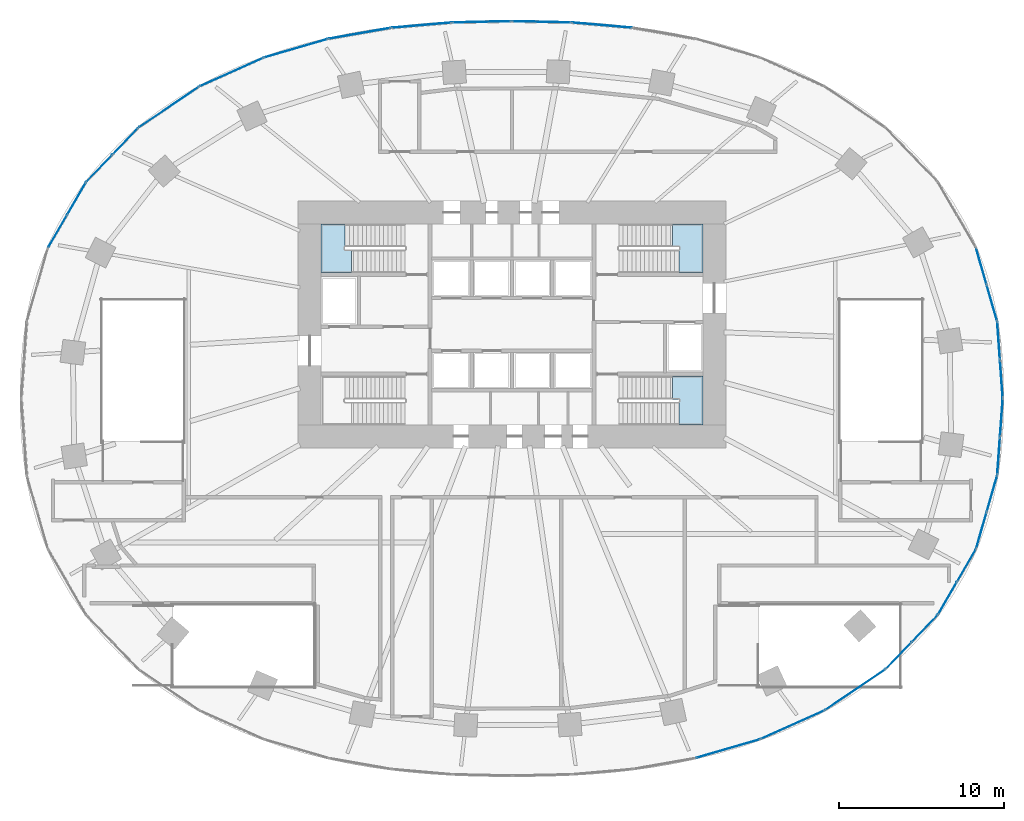
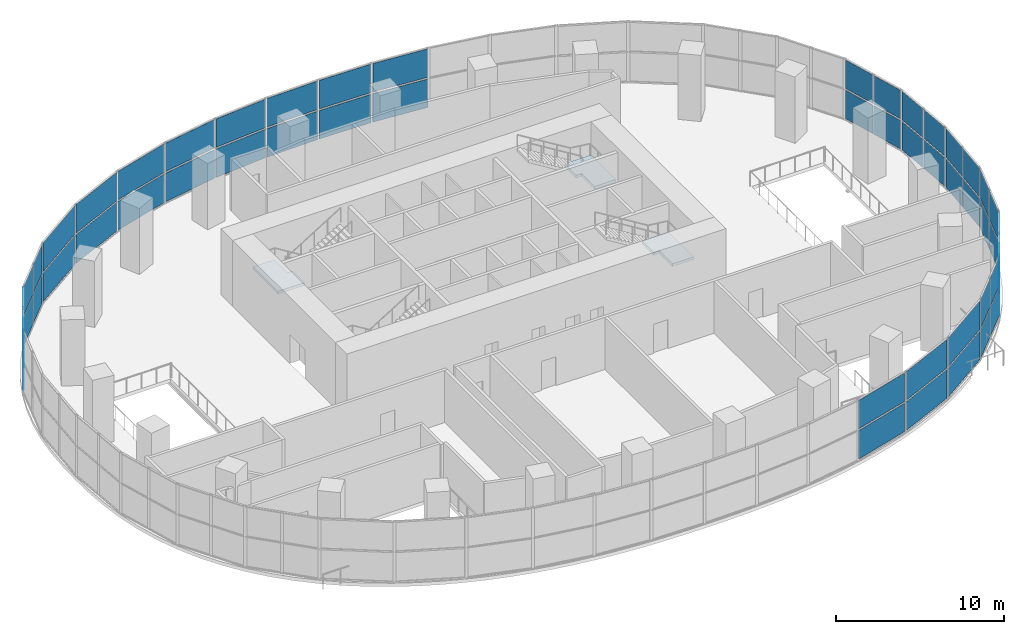
# One storey, part 10 of 17: 54 plates, 3 slabs, 22 elements without a shape of their own.
"""IFC4 building model written with IfcOpenShell, lengths in metres."""

from ifc_helpers import new_model, si_unit, direction, frame, origin, origin_2d, place, context, subcontext, project, spatial, polyline, rectangle, outline, extrude, material, layer, layer_set, type_object, element, aggregate, save


model = new_model("IFC4")

# Units and contexts
model_context = context("Model", 3, precision=1e-05, world=origin(), true_north=direction((0.0, 1.0)))
body_context = subcontext(model_context, "Body", "Model", "MODEL_VIEW")
ifc_project = project(units=[si_unit("LENGTHUNIT", "METRE"), si_unit("AREAUNIT", "SQUARE_METRE"), si_unit("VOLUMEUNIT", "CUBIC_METRE"), si_unit("PLANEANGLEUNIT", "RADIAN"), si_unit("MASSUNIT", "GRAM", prefix="KILO")], contexts=[model_context])

# Site, building, storey
site_placement = place(None, origin())
site = spatial("IfcSite", under=ifc_project, at=site_placement, CompositionType="ELEMENT")
building_placement = place(site_placement, origin())
building = spatial("IfcBuilding", under=site, at=building_placement, Name="Rubra Terraces Tower", CompositionType="ELEMENT")
storey_placement = place(building_placement, frame((0.0, 0.0, 28.199951171875)))
storey = spatial("IfcBuildingStorey", under=building, at=storey_placement, Name="L04", CompositionType="ELEMENT", Elevation=28.199951171875)

# Stair, slab
ifc_material_1 = material(Name="Concrete C40", Category="concrete")
stair_type = type_object("IfcStairType", Name="Core stair 1400", PredefinedType="HALF_TURN_STAIR", material=ifc_material_1)
stair_1_placement = place(storey_placement, origin())
stair_1 = element("IfcStair", 1, at=stair_1_placement, inside=storey, type_object=stair_type, Name="L04 Exit stair S2", PredefinedType="HALF_TURN_STAIR")
ifc_layer_1 = layer(ifc_material_1, 0.199951171875)
ifc_layer_set_1 = layer_set([ifc_layer_1], Name="Concrete C40")
slab_type = type_object("IfcSlabType", Name="Core stair landing 200", PredefinedType="LANDING", material=ifc_layer_set_1)
slab_1_placement = place(storey_placement, frame((0.0, 0.0, 2.199951171875)))
slab_1 = element("IfcSlab", 2, at=slab_1_placement, type_object=slab_type, Name="S2 landing 1", PredefinedType="LANDING", context=body_context, shape_type="SweptSolid", body=[
    extrude(outline(polyline([(-9.760009765625, 9.050048828125), (-9.760009765625, 7.64990234375), (-10.159912109375, 7.64990234375), (-11.60009765625, 7.64990234375), (-11.60009765625, 10.60009765625), (-10.159912109375, 10.60009765625), (-10.139892578125, 10.60009765625), (-10.137939453125, 10.60009765625), (-10.137939453125, 9.199951171875), (-10.139892578125, 9.199951171875), (-10.139892578125, 9.050048828125), (-9.760009765625, 9.050048828125)])), origin(), (0.0, 0.0, 1.0), 0.2001953125),
])
aggregate(stair_1, [slab_1])

stair_2_placement = place(storey_placement, origin())
stair_2 = element("IfcStair", 3, at=stair_2_placement, inside=storey, type_object=stair_type, Name="L04 Exit stair S3", PredefinedType="HALF_TURN_STAIR")
slab_2_placement = place(storey_placement, frame((0.0, 0.0, 2.199951171875)))
slab_2 = element("IfcSlab", 4, at=slab_2_placement, type_object=slab_type, Name="S3 landing 1", PredefinedType="LANDING", context=body_context, shape_type="SweptSolid", body=[
    extrude(outline(polyline([(10.139892578125, 9.050048828125), (10.139892578125, 9.199951171875), (9.760009765625, 9.199951171875), (9.760009765625, 10.60009765625), (10.139892578125, 10.60009765625), (10.159912109375, 10.60009765625), (11.60009765625, 10.60009765625), (11.60009765625, 7.64990234375), (10.159912109375, 7.64990234375), (10.137939453125, 7.64990234375), (10.137939453125, 9.050048828125), (10.139892578125, 9.050048828125)])), origin(), (0.0, 0.0, 1.0), 0.2001953125),
])
aggregate(stair_2, [slab_2])

stair_3_placement = place(storey_placement, origin())
stair_3 = element("IfcStair", 5, at=stair_3_placement, inside=storey, type_object=stair_type, Name="L04 Exit stair S4", PredefinedType="HALF_TURN_STAIR")
slab_3_placement = place(storey_placement, frame((0.0, 0.0, 2.199951171875)))
slab_3 = element("IfcSlab", 6, at=slab_3_placement, type_object=slab_type, Name="S4 landing 1", PredefinedType="LANDING", context=body_context, shape_type="SweptSolid", body=[
    extrude(outline(polyline([(10.139892578125, -0.199951171875), (10.139892578125, -0.050048828125), (9.760009765625, -0.050048828125), (9.760009765625, 1.35009765625), (10.139892578125, 1.35009765625), (10.159912109375, 1.35009765625), (11.60009765625, 1.35009765625), (11.60009765625, -1.60009765625), (10.159912109375, -1.60009765625), (10.139892578125, -1.60009765625), (10.137939453125, -1.60009765625), (10.137939453125, -0.199951171875), (10.139892578125, -0.199951171875)])), origin(), (0.0, 0.0, 1.0), 0.2001953125),
])
aggregate(stair_3, [slab_3])

# Curtain wall, plates
ifc_material_2 = material(Name="Aluminium and glass", Category="aluminium")
curtain_wall_type = type_object("IfcCurtainWallType", Name="Curtain wall Podium glazing", PredefinedType="NOTDEFINED", material=ifc_material_2)
curtain_wall_1_placement = place(storey_placement, origin())
curtain_wall_1 = element("IfcCurtainWall", 7, at=curtain_wall_1_placement, inside=storey, type_object=curtain_wall_type, Name="L04 glazing bay 1", PredefinedType="NOTDEFINED")
ifc_material_3 = material(Name="Clear glass, laminated", Category="glass")
ifc_layer_2 = layer(ifc_material_3, 0.028076171875)
ifc_layer_set_2 = layer_set([ifc_layer_2], Name="Clear glass, laminated")
plate_type = type_object("IfcPlateType", Name="Podium glazing glass panel 28", PredefinedType="CURTAIN_PANEL", material=ifc_layer_set_2)
plate_1_placement = place(storey_placement, frame((29.739990234375, 1.18017578125, 0.1201171875), z_axis=(0.0, 0.0, 1.0), x_axis=(-0.071792057306, 0.997419621076, 0.0)))
plate_1 = element("IfcPlate", 8, at=plate_1_placement, type_object=plate_type, Name="CW1 panel 1.1", PredefinedType="CURTAIN_PANEL", context=body_context, shape_type="SweptSolid", body=[
    extrude(rectangle(XDim=2.257080078125, YDim=0.028076171875, at=origin_2d()), origin(), (0.0, 0.0, 1.0), 2.070068359375),
])
plate_2_placement = place(storey_placement, frame((29.739990234375, 1.18017578125, 2.31005859375), z_axis=(0.0, 0.0, 1.0), x_axis=(-0.071792057306, 0.997419621076, 0.0)))
plate_2 = element("IfcPlate", 9, at=plate_2_placement, type_object=plate_type, Name="CW1 panel 1.2", PredefinedType="CURTAIN_PANEL", context=body_context, shape_type="SweptSolid", body=[
    extrude(rectangle(XDim=2.257080078125, YDim=0.028076171875, at=origin_2d()), origin(), (0.0, 0.0, 1.0), 2.070068359375),
])
plate_3_placement = place(storey_placement, frame((29.573486328125, 3.4912109375, 0.1201171875), z_axis=(0.0, 0.0, 1.0), x_axis=(-0.071792057306, 0.997419621076, 0.0)))
plate_3 = element("IfcPlate", 10, at=plate_3_placement, type_object=plate_type, Name="CW1 panel 2.1", PredefinedType="CURTAIN_PANEL", context=body_context, shape_type="SweptSolid", body=[
    extrude(rectangle(XDim=2.257080078125, YDim=0.028076171875, at=origin_2d()), origin(), (0.0, 0.0, 1.0), 2.070068359375),
])
plate_4_placement = place(storey_placement, frame((29.573486328125, 3.4912109375, 2.31005859375), z_axis=(0.0, 0.0, 1.0), x_axis=(-0.071792057306, 0.997419621076, 0.0)))
plate_4 = element("IfcPlate", 11, at=plate_4_placement, type_object=plate_type, Name="CW1 panel 2.2", PredefinedType="CURTAIN_PANEL", context=body_context, shape_type="SweptSolid", body=[
    extrude(rectangle(XDim=2.257080078125, YDim=0.028076171875, at=origin_2d()), origin(), (0.0, 0.0, 1.0), 2.070068359375),
])
aggregate(curtain_wall_1, [plate_1, plate_2, plate_3, plate_4])

curtain_wall_2_placement = place(storey_placement, origin())
curtain_wall_2 = element("IfcCurtainWall", 12, at=curtain_wall_2_placement, inside=storey, type_object=curtain_wall_type, Name="L04 glazing bay 2", PredefinedType="NOTDEFINED")
plate_5_placement = place(storey_placement, frame((29.1630859375, 5.801513671875, 0.1201171875), z_axis=(0.0, 0.0, 1.0), x_axis=(-0.276383811798, 0.961047339404, 0.0)))
plate_5 = element("IfcPlate", 13, at=plate_5_placement, type_object=plate_type, Name="CW1 panel 1.1", PredefinedType="CURTAIN_PANEL", context=body_context, shape_type="SweptSolid", body=[
    extrude(rectangle(XDim=2.252685546875, YDim=0.028076171875, at=origin_2d()), origin(), (0.0, 0.0, 1.0), 2.070068359375),
])
plate_6_placement = place(storey_placement, frame((29.1630859375, 5.801513671875, 2.31005859375), z_axis=(0.0, 0.0, 1.0), x_axis=(-0.276383811798, 0.961047339404, 0.0)))
plate_6 = element("IfcPlate", 14, at=plate_6_placement, type_object=plate_type, Name="CW1 panel 1.2", PredefinedType="CURTAIN_PANEL", context=body_context, shape_type="SweptSolid", body=[
    extrude(rectangle(XDim=2.252685546875, YDim=0.028076171875, at=origin_2d()), origin(), (0.0, 0.0, 1.0), 2.070068359375),
])
plate_7_placement = place(storey_placement, frame((28.523681640625, 8.024169921875, 0.1201171875), z_axis=(0.0, 0.0, 1.0), x_axis=(-0.276383811798, 0.961047339404, 0.0)))
plate_7 = element("IfcPlate", 15, at=plate_7_placement, type_object=plate_type, Name="CW1 panel 2.1", PredefinedType="CURTAIN_PANEL", context=body_context, shape_type="SweptSolid", body=[
    extrude(rectangle(XDim=2.252685546875, YDim=0.028076171875, at=origin_2d()), origin(), (0.0, 0.0, 1.0), 2.070068359375),
])
plate_8_placement = place(storey_placement, frame((28.523681640625, 8.024169921875, 2.31005859375), z_axis=(0.0, 0.0, 1.0), x_axis=(-0.276383811798, 0.961047339404, 0.0)))
plate_8 = element("IfcPlate", 16, at=plate_8_placement, type_object=plate_type, Name="CW1 panel 2.2", PredefinedType="CURTAIN_PANEL", context=body_context, shape_type="SweptSolid", body=[
    extrude(rectangle(XDim=2.252685546875, YDim=0.028076171875, at=origin_2d()), origin(), (0.0, 0.0, 1.0), 2.070068359375),
])
aggregate(curtain_wall_2, [plate_5, plate_6, plate_7, plate_8])

curtain_wall_3_placement = place(storey_placement, origin())
curtain_wall_3 = element("IfcCurtainWall", 17, at=curtain_wall_3_placement, inside=storey, type_object=curtain_wall_type, Name="L04 glazing bay 9", PredefinedType="NOTDEFINED")
plate_9_placement = place(storey_placement, frame((5.47998046875, 22.686279296875, 0.1201171875), z_axis=(0.0, 0.0, 1.0), x_axis=(-0.996260697637, 0.08639804595, 0.0)))
plate_9 = element("IfcPlate", 18, at=plate_9_placement, type_object=plate_type, Name="CW1 panel 1.1", PredefinedType="CURTAIN_PANEL", context=body_context, shape_type="SweptSolid", body=[
    extrude(rectangle(XDim=3.60693359375, YDim=0.028076171875, at=origin_2d()), origin(), (0.0, 0.0, 1.0), 2.070068359375),
])
plate_10_placement = place(storey_placement, frame((5.47998046875, 22.686279296875, 2.31005859375), z_axis=(0.0, 0.0, 1.0), x_axis=(-0.996260697637, 0.08639804595, 0.0)))
plate_10 = element("IfcPlate", 19, at=plate_10_placement, type_object=plate_type, Name="CW1 panel 1.2", PredefinedType="CURTAIN_PANEL", context=body_context, shape_type="SweptSolid", body=[
    extrude(rectangle(XDim=3.60693359375, YDim=0.028076171875, at=origin_2d()), origin(), (0.0, 0.0, 1.0), 2.070068359375),
])
aggregate(curtain_wall_3, [plate_9, plate_10])

curtain_wall_4_placement = place(storey_placement, origin())
curtain_wall_4 = element("IfcCurtainWall", 20, at=curtain_wall_4_placement, inside=storey, type_object=curtain_wall_type, Name="L04 glazing bay 10", PredefinedType="NOTDEFINED")
plate_11_placement = place(storey_placement, frame((1.8134765625, 22.885986328125, 0.1201171875), z_axis=(0.0, 0.0, 1.0), x_axis=(-0.999769221365, 0.021482644428, 0.0)))
plate_11 = element("IfcPlate", 21, at=plate_11_placement, type_object=plate_type, Name="CW1 panel 1.1", PredefinedType="CURTAIN_PANEL", context=body_context, shape_type="SweptSolid", body=[
    extrude(rectangle(XDim=3.5107421875, YDim=0.028076171875, at=origin_2d()), origin(), (0.0, 0.0, 1.0), 2.070068359375),
])
plate_12_placement = place(storey_placement, frame((1.8134765625, 22.885986328125, 2.31005859375), z_axis=(0.0, 0.0, 1.0), x_axis=(-0.999769221365, 0.021482644428, 0.0)))
plate_12 = element("IfcPlate", 22, at=plate_12_placement, type_object=plate_type, Name="CW1 panel 1.2", PredefinedType="CURTAIN_PANEL", context=body_context, shape_type="SweptSolid", body=[
    extrude(rectangle(XDim=3.5107421875, YDim=0.028076171875, at=origin_2d()), origin(), (0.0, 0.0, 1.0), 2.070068359375),
])
aggregate(curtain_wall_4, [plate_11, plate_12])

curtain_wall_5_placement = place(storey_placement, origin())
curtain_wall_5 = element("IfcCurtainWall", 23, at=curtain_wall_5_placement, inside=storey, type_object=curtain_wall_type, Name="L04 glazing bay 11", PredefinedType="NOTDEFINED")
plate_13_placement = place(storey_placement, frame((-1.8134765625, 22.885986328125, 0.1201171875), z_axis=(0.0, 0.0, 1.0), x_axis=(-0.999769221365, -0.021482644428, 0.0)))
plate_13 = element("IfcPlate", 24, at=plate_13_placement, type_object=plate_type, Name="CW1 panel 1.1", PredefinedType="CURTAIN_PANEL", context=body_context, shape_type="SweptSolid", body=[
    extrude(rectangle(XDim=3.5107421875, YDim=0.028076171875, at=origin_2d()), origin(), (0.0, 0.0, 1.0), 2.070068359375),
])
plate_14_placement = place(storey_placement, frame((-1.8134765625, 22.885986328125, 2.31005859375), z_axis=(0.0, 0.0, 1.0), x_axis=(-0.999769221365, -0.021482644428, 0.0)))
plate_14 = element("IfcPlate", 25, at=plate_14_placement, type_object=plate_type, Name="CW1 panel 1.2", PredefinedType="CURTAIN_PANEL", context=body_context, shape_type="SweptSolid", body=[
    extrude(rectangle(XDim=3.5107421875, YDim=0.028076171875, at=origin_2d()), origin(), (0.0, 0.0, 1.0), 2.070068359375),
])
aggregate(curtain_wall_5, [plate_13, plate_14])

curtain_wall_6_placement = place(storey_placement, origin())
curtain_wall_6 = element("IfcCurtainWall", 26, at=curtain_wall_6_placement, inside=storey, type_object=curtain_wall_type, Name="L04 glazing bay 12", PredefinedType="NOTDEFINED")
plate_15_placement = place(storey_placement, frame((-5.47998046875, 22.686279296875, 0.1201171875), z_axis=(0.0, 0.0, 1.0), x_axis=(-0.996260697637, -0.08639804595, 0.0)))
plate_15 = element("IfcPlate", 27, at=plate_15_placement, type_object=plate_type, Name="CW1 panel 1.1", PredefinedType="CURTAIN_PANEL", context=body_context, shape_type="SweptSolid", body=[
    extrude(rectangle(XDim=3.60693359375, YDim=0.028076171875, at=origin_2d()), origin(), (0.0, 0.0, 1.0), 2.070068359375),
])
plate_16_placement = place(storey_placement, frame((-5.47998046875, 22.686279296875, 2.31005859375), z_axis=(0.0, 0.0, 1.0), x_axis=(-0.996260697637, -0.08639804595, 0.0)))
plate_16 = element("IfcPlate", 28, at=plate_16_placement, type_object=plate_type, Name="CW1 panel 1.2", PredefinedType="CURTAIN_PANEL", context=body_context, shape_type="SweptSolid", body=[
    extrude(rectangle(XDim=3.60693359375, YDim=0.028076171875, at=origin_2d()), origin(), (0.0, 0.0, 1.0), 2.070068359375),
])
aggregate(curtain_wall_6, [plate_15, plate_16])

curtain_wall_7_placement = place(storey_placement, origin())
curtain_wall_7 = element("IfcCurtainWall", 29, at=curtain_wall_7_placement, inside=storey, type_object=curtain_wall_type, Name="L04 glazing bay 13", PredefinedType="NOTDEFINED")
plate_17_placement = place(storey_placement, frame((-9.2451171875, 22.190185546875, 0.1201171875), z_axis=(0.0, 0.0, 1.0), x_axis=(-0.984953952909, -0.172816985997, 0.0)))
plate_17 = element("IfcPlate", 30, at=plate_17_placement, type_object=plate_type, Name="CW1 panel 1.1", PredefinedType="CURTAIN_PANEL", context=body_context, shape_type="SweptSolid", body=[
    extrude(rectangle(XDim=3.7685546875, YDim=0.028076171875, at=origin_2d()), origin(), (0.0, 0.0, 1.0), 2.070068359375),
])
plate_18_placement = place(storey_placement, frame((-9.2451171875, 22.190185546875, 2.31005859375), z_axis=(0.0, 0.0, 1.0), x_axis=(-0.984953952909, -0.172816985997, 0.0)))
plate_18 = element("IfcPlate", 31, at=plate_18_placement, type_object=plate_type, Name="CW1 panel 1.2", PredefinedType="CURTAIN_PANEL", context=body_context, shape_type="SweptSolid", body=[
    extrude(rectangle(XDim=3.7685546875, YDim=0.028076171875, at=origin_2d()), origin(), (0.0, 0.0, 1.0), 2.070068359375),
])
aggregate(curtain_wall_7, [plate_17, plate_18])

curtain_wall_8_placement = place(storey_placement, origin())
curtain_wall_8 = element("IfcCurtainWall", 32, at=curtain_wall_8_placement, inside=storey, type_object=curtain_wall_type, Name="L04 glazing bay 14", PredefinedType="NOTDEFINED")
plate_19_placement = place(storey_placement, frame((-13.115966796875, 21.284423828125, 0.1201171875), z_axis=(0.0, 0.0, 1.0), x_axis=(-0.96017502931, -0.279399200229, 0.0)))
plate_19 = element("IfcPlate", 33, at=plate_19_placement, type_object=plate_type, Name="CW1 panel 1.1", PredefinedType="CURTAIN_PANEL", context=body_context, shape_type="SweptSolid", body=[
    extrude(rectangle(XDim=3.970947265625, YDim=0.028076171875, at=origin_2d()), origin(), (0.0, 0.0, 1.0), 2.070068359375),
])
plate_20_placement = place(storey_placement, frame((-13.115966796875, 21.284423828125, 2.31005859375), z_axis=(0.0, 0.0, 1.0), x_axis=(-0.96017502931, -0.279399200229, 0.0)))
plate_20 = element("IfcPlate", 34, at=plate_20_placement, type_object=plate_type, Name="CW1 panel 1.2", PredefinedType="CURTAIN_PANEL", context=body_context, shape_type="SweptSolid", body=[
    extrude(rectangle(XDim=3.970947265625, YDim=0.028076171875, at=origin_2d()), origin(), (0.0, 0.0, 1.0), 2.070068359375),
])
aggregate(curtain_wall_8, [plate_19, plate_20])

curtain_wall_9_placement = place(storey_placement, origin())
curtain_wall_9 = element("IfcCurtainWall", 35, at=curtain_wall_9_placement, inside=storey, type_object=curtain_wall_type, Name="L04 glazing bay 15", PredefinedType="NOTDEFINED")
plate_21_placement = place(storey_placement, frame((-17.03271484375, 19.837158203125, 0.1201171875), z_axis=(0.0, 0.0, 1.0), x_axis=(-0.912551215254, -0.4089624427, 0.0)))
plate_21 = element("IfcPlate", 36, at=plate_21_placement, type_object=plate_type, Name="CW1 panel 1.1", PredefinedType="CURTAIN_PANEL", context=body_context, shape_type="SweptSolid", body=[
    extrude(rectangle(XDim=4.18115234375, YDim=0.028076171875, at=origin_2d()), origin(), (0.0, 0.0, 1.0), 2.070068359375),
])
plate_22_placement = place(storey_placement, frame((-17.03271484375, 19.837158203125, 2.31005859375), z_axis=(0.0, 0.0, 1.0), x_axis=(-0.912551215254, -0.4089624427, 0.0)))
plate_22 = element("IfcPlate", 37, at=plate_22_placement, type_object=plate_type, Name="CW1 panel 1.2", PredefinedType="CURTAIN_PANEL", context=body_context, shape_type="SweptSolid", body=[
    extrude(rectangle(XDim=4.18115234375, YDim=0.028076171875, at=origin_2d()), origin(), (0.0, 0.0, 1.0), 2.070068359375),
])
aggregate(curtain_wall_9, [plate_21, plate_22])

curtain_wall_10_placement = place(storey_placement, origin())
curtain_wall_10 = element("IfcCurtainWall", 38, at=curtain_wall_10_placement, inside=storey, type_object=curtain_wall_type, Name="L04 glazing bay 16", PredefinedType="NOTDEFINED")
plate_23_placement = place(storey_placement, frame((-20.840576171875, 17.711181640625, 0.1201171875), z_axis=(0.0, 0.0, 1.0), x_axis=(-0.828980654031, -0.55927727939, 0.0)))
plate_23 = element("IfcPlate", 39, at=plate_23_placement, type_object=plate_type, Name="CW1 panel 1.1", PredefinedType="CURTAIN_PANEL", context=body_context, shape_type="SweptSolid", body=[
    extrude(rectangle(XDim=4.35888671875, YDim=0.028076171875, at=origin_2d()), origin(), (0.0, 0.0, 1.0), 2.070068359375),
])
plate_24_placement = place(storey_placement, frame((-20.840576171875, 17.711181640625, 2.31005859375), z_axis=(0.0, 0.0, 1.0), x_axis=(-0.828980654031, -0.55927727939, 0.0)))
plate_24 = element("IfcPlate", 40, at=plate_24_placement, type_object=plate_type, Name="CW1 panel 1.2", PredefinedType="CURTAIN_PANEL", context=body_context, shape_type="SweptSolid", body=[
    extrude(rectangle(XDim=4.35888671875, YDim=0.028076171875, at=origin_2d()), origin(), (0.0, 0.0, 1.0), 2.070068359375),
])
aggregate(curtain_wall_10, [plate_23, plate_24])

curtain_wall_11_placement = place(storey_placement, origin())
curtain_wall_11 = element("IfcCurtainWall", 41, at=curtain_wall_11_placement, inside=storey, type_object=curtain_wall_type, Name="L04 glazing bay 17", PredefinedType="NOTDEFINED")
plate_25_placement = place(storey_placement, frame((-23.4931640625, 15.630859375, 0.1201171875), z_axis=(0.0, 0.0, 1.0), x_axis=(-0.69415569917, -0.71982488517, 0.0)))
plate_25 = element("IfcPlate", 42, at=plate_25_placement, type_object=plate_type, Name="CW1 panel 1.1", PredefinedType="CURTAIN_PANEL", context=body_context, shape_type="SweptSolid", body=[
    extrude(rectangle(XDim=2.20849609375, YDim=0.028076171875, at=origin_2d()), origin(), (0.0, 0.0, 1.0), 2.070068359375),
])
plate_26_placement = place(storey_placement, frame((-23.4931640625, 15.630859375, 2.31005859375), z_axis=(0.0, 0.0, 1.0), x_axis=(-0.69415569917, -0.71982488517, 0.0)))
plate_26 = element("IfcPlate", 43, at=plate_26_placement, type_object=plate_type, Name="CW1 panel 1.2", PredefinedType="CURTAIN_PANEL", context=body_context, shape_type="SweptSolid", body=[
    extrude(rectangle(XDim=2.20849609375, YDim=0.028076171875, at=origin_2d()), origin(), (0.0, 0.0, 1.0), 2.070068359375),
])
plate_27_placement = place(storey_placement, frame((-25.06787109375, 13.998046875, 0.1201171875), z_axis=(0.0, 0.0, 1.0), x_axis=(-0.69415569917, -0.71982488517, 0.0)))
plate_27 = element("IfcPlate", 44, at=plate_27_placement, type_object=plate_type, Name="CW1 panel 2.1", PredefinedType="CURTAIN_PANEL", context=body_context, shape_type="SweptSolid", body=[
    extrude(rectangle(XDim=2.20849609375, YDim=0.028076171875, at=origin_2d()), origin(), (0.0, 0.0, 1.0), 2.070068359375),
])
plate_28_placement = place(storey_placement, frame((-25.06787109375, 13.998046875, 2.31005859375), z_axis=(0.0, 0.0, 1.0), x_axis=(-0.69415569917, -0.71982488517, 0.0)))
plate_28 = element("IfcPlate", 45, at=plate_28_placement, type_object=plate_type, Name="CW1 panel 2.2", PredefinedType="CURTAIN_PANEL", context=body_context, shape_type="SweptSolid", body=[
    extrude(rectangle(XDim=2.20849609375, YDim=0.028076171875, at=origin_2d()), origin(), (0.0, 0.0, 1.0), 2.070068359375),
])
aggregate(curtain_wall_11, [plate_25, plate_26, plate_27, plate_28])

curtain_wall_12_placement = place(storey_placement, origin())
curtain_wall_12 = element("IfcCurtainWall", 46, at=curtain_wall_12_placement, inside=storey, type_object=curtain_wall_type, Name="L04 glazing bay 18", PredefinedType="NOTDEFINED")
plate_29_placement = place(storey_placement, frame((-26.45703125, 12.154541015625, 0.1201171875), z_axis=(0.0, 0.0, 1.0), x_axis=(-0.502094070187, -0.864813011398, 0.0)))
plate_29 = element("IfcPlate", 47, at=plate_29_placement, type_object=plate_type, Name="CW1 panel 1.1", PredefinedType="CURTAIN_PANEL", context=body_context, shape_type="SweptSolid", body=[
    extrude(rectangle(XDim=2.23828125, YDim=0.028076171875, at=origin_2d()), origin(), (0.0, 0.0, 1.0), 2.070068359375),
])
plate_30_placement = place(storey_placement, frame((-26.45703125, 12.154541015625, 2.31005859375), z_axis=(0.0, 0.0, 1.0), x_axis=(-0.502094070187, -0.864813011398, 0.0)))
plate_30 = element("IfcPlate", 48, at=plate_30_placement, type_object=plate_type, Name="CW1 panel 1.2", PredefinedType="CURTAIN_PANEL", context=body_context, shape_type="SweptSolid", body=[
    extrude(rectangle(XDim=2.23828125, YDim=0.028076171875, at=origin_2d()), origin(), (0.0, 0.0, 1.0), 2.070068359375),
])
plate_31_placement = place(storey_placement, frame((-27.611083984375, 10.1669921875, 0.1201171875), z_axis=(0.0, 0.0, 1.0), x_axis=(-0.502094070187, -0.864813011398, 0.0)))
plate_31 = element("IfcPlate", 49, at=plate_31_placement, type_object=plate_type, Name="CW1 panel 2.1", PredefinedType="CURTAIN_PANEL", context=body_context, shape_type="SweptSolid", body=[
    extrude(rectangle(XDim=2.23828125, YDim=0.028076171875, at=origin_2d()), origin(), (0.0, 0.0, 1.0), 2.070068359375),
])
plate_32_placement = place(storey_placement, frame((-27.611083984375, 10.1669921875, 2.31005859375), z_axis=(0.0, 0.0, 1.0), x_axis=(-0.502094070187, -0.864813011398, 0.0)))
plate_32 = element("IfcPlate", 50, at=plate_32_placement, type_object=plate_type, Name="CW1 panel 2.2", PredefinedType="CURTAIN_PANEL", context=body_context, shape_type="SweptSolid", body=[
    extrude(rectangle(XDim=2.23828125, YDim=0.028076171875, at=origin_2d()), origin(), (0.0, 0.0, 1.0), 2.070068359375),
])
aggregate(curtain_wall_12, [plate_29, plate_30, plate_31, plate_32])

curtain_wall_13_placement = place(storey_placement, origin())
curtain_wall_13 = element("IfcCurtainWall", 51, at=curtain_wall_13_placement, inside=storey, type_object=curtain_wall_type, Name="L04 glazing bay 34", PredefinedType="NOTDEFINED")
plate_33_placement = place(storey_placement, frame((13.115966796875, -21.284423828125, 0.1201171875), z_axis=(0.0, 0.0, 1.0), x_axis=(0.96017502931, 0.279399200229, 0.0)))
plate_33 = element("IfcPlate", 52, at=plate_33_placement, type_object=plate_type, Name="CW1 panel 1.1", PredefinedType="CURTAIN_PANEL", context=body_context, shape_type="SweptSolid", body=[
    extrude(rectangle(XDim=3.970947265625, YDim=0.028076171875, at=origin_2d()), origin(), (0.0, 0.0, 1.0), 2.070068359375),
])
plate_34_placement = place(storey_placement, frame((13.115966796875, -21.284423828125, 2.31005859375), z_axis=(0.0, 0.0, 1.0), x_axis=(0.96017502931, 0.279399200229, 0.0)))
plate_34 = element("IfcPlate", 53, at=plate_34_placement, type_object=plate_type, Name="CW1 panel 1.2", PredefinedType="CURTAIN_PANEL", context=body_context, shape_type="SweptSolid", body=[
    extrude(rectangle(XDim=3.970947265625, YDim=0.028076171875, at=origin_2d()), origin(), (0.0, 0.0, 1.0), 2.070068359375),
])
aggregate(curtain_wall_13, [plate_33, plate_34])

curtain_wall_14_placement = place(storey_placement, origin())
curtain_wall_14 = element("IfcCurtainWall", 54, at=curtain_wall_14_placement, inside=storey, type_object=curtain_wall_type, Name="L04 glazing bay 35", PredefinedType="NOTDEFINED")
plate_35_placement = place(storey_placement, frame((17.03271484375, -19.837158203125, 0.1201171875), z_axis=(0.0, 0.0, 1.0), x_axis=(0.912551215254, 0.4089624427, 0.0)))
plate_35 = element("IfcPlate", 55, at=plate_35_placement, type_object=plate_type, Name="CW1 panel 1.1", PredefinedType="CURTAIN_PANEL", context=body_context, shape_type="SweptSolid", body=[
    extrude(rectangle(XDim=4.18115234375, YDim=0.028076171875, at=origin_2d()), origin(), (0.0, 0.0, 1.0), 2.070068359375),
])
plate_36_placement = place(storey_placement, frame((17.03271484375, -19.837158203125, 2.31005859375), z_axis=(0.0, 0.0, 1.0), x_axis=(0.912551215254, 0.4089624427, 0.0)))
plate_36 = element("IfcPlate", 56, at=plate_36_placement, type_object=plate_type, Name="CW1 panel 1.2", PredefinedType="CURTAIN_PANEL", context=body_context, shape_type="SweptSolid", body=[
    extrude(rectangle(XDim=4.18115234375, YDim=0.028076171875, at=origin_2d()), origin(), (0.0, 0.0, 1.0), 2.070068359375),
])
aggregate(curtain_wall_14, [plate_35, plate_36])

curtain_wall_15_placement = place(storey_placement, origin())
curtain_wall_15 = element("IfcCurtainWall", 57, at=curtain_wall_15_placement, inside=storey, type_object=curtain_wall_type, Name="L04 glazing bay 36", PredefinedType="NOTDEFINED")
plate_37_placement = place(storey_placement, frame((20.840576171875, -17.711181640625, 0.1201171875), z_axis=(0.0, 0.0, 1.0), x_axis=(0.828980654031, 0.55927727939, 0.0)))
plate_37 = element("IfcPlate", 58, at=plate_37_placement, type_object=plate_type, Name="CW1 panel 1.1", PredefinedType="CURTAIN_PANEL", context=body_context, shape_type="SweptSolid", body=[
    extrude(rectangle(XDim=4.35888671875, YDim=0.028076171875, at=origin_2d()), origin(), (0.0, 0.0, 1.0), 2.070068359375),
])
plate_38_placement = place(storey_placement, frame((20.840576171875, -17.711181640625, 2.31005859375), z_axis=(0.0, 0.0, 1.0), x_axis=(0.828980654031, 0.55927727939, 0.0)))
plate_38 = element("IfcPlate", 59, at=plate_38_placement, type_object=plate_type, Name="CW1 panel 1.2", PredefinedType="CURTAIN_PANEL", context=body_context, shape_type="SweptSolid", body=[
    extrude(rectangle(XDim=4.35888671875, YDim=0.028076171875, at=origin_2d()), origin(), (0.0, 0.0, 1.0), 2.070068359375),
])
aggregate(curtain_wall_15, [plate_37, plate_38])

curtain_wall_16_placement = place(storey_placement, origin())
curtain_wall_16 = element("IfcCurtainWall", 60, at=curtain_wall_16_placement, inside=storey, type_object=curtain_wall_type, Name="L04 glazing bay 37", PredefinedType="NOTDEFINED")
plate_39_placement = place(storey_placement, frame((23.4931640625, -15.630859375, 0.1201171875), z_axis=(0.0, 0.0, 1.0), x_axis=(0.69415569917, 0.71982488517, 0.0)))
plate_39 = element("IfcPlate", 61, at=plate_39_placement, type_object=plate_type, Name="CW1 panel 1.1", PredefinedType="CURTAIN_PANEL", context=body_context, shape_type="SweptSolid", body=[
    extrude(rectangle(XDim=2.20849609375, YDim=0.028076171875, at=origin_2d()), origin(), (0.0, 0.0, 1.0), 2.070068359375),
])
plate_40_placement = place(storey_placement, frame((23.4931640625, -15.630859375, 2.31005859375), z_axis=(0.0, 0.0, 1.0), x_axis=(0.69415569917, 0.71982488517, 0.0)))
plate_40 = element("IfcPlate", 62, at=plate_40_placement, type_object=plate_type, Name="CW1 panel 1.2", PredefinedType="CURTAIN_PANEL", context=body_context, shape_type="SweptSolid", body=[
    extrude(rectangle(XDim=2.20849609375, YDim=0.028076171875, at=origin_2d()), origin(), (0.0, 0.0, 1.0), 2.070068359375),
])
plate_41_placement = place(storey_placement, frame((25.06787109375, -13.998046875, 0.1201171875), z_axis=(0.0, 0.0, 1.0), x_axis=(0.69415569917, 0.71982488517, 0.0)))
plate_41 = element("IfcPlate", 63, at=plate_41_placement, type_object=plate_type, Name="CW1 panel 2.1", PredefinedType="CURTAIN_PANEL", context=body_context, shape_type="SweptSolid", body=[
    extrude(rectangle(XDim=2.20849609375, YDim=0.028076171875, at=origin_2d()), origin(), (0.0, 0.0, 1.0), 2.070068359375),
])
plate_42_placement = place(storey_placement, frame((25.06787109375, -13.998046875, 2.31005859375), z_axis=(0.0, 0.0, 1.0), x_axis=(0.69415569917, 0.71982488517, 0.0)))
plate_42 = element("IfcPlate", 64, at=plate_42_placement, type_object=plate_type, Name="CW1 panel 2.2", PredefinedType="CURTAIN_PANEL", context=body_context, shape_type="SweptSolid", body=[
    extrude(rectangle(XDim=2.20849609375, YDim=0.028076171875, at=origin_2d()), origin(), (0.0, 0.0, 1.0), 2.070068359375),
])
aggregate(curtain_wall_16, [plate_39, plate_40, plate_41, plate_42])

curtain_wall_17_placement = place(storey_placement, origin())
curtain_wall_17 = element("IfcCurtainWall", 65, at=curtain_wall_17_placement, inside=storey, type_object=curtain_wall_type, Name="L04 glazing bay 38", PredefinedType="NOTDEFINED")
plate_43_placement = place(storey_placement, frame((26.45703125, -12.154541015625, 0.1201171875), z_axis=(0.0, 0.0, 1.0), x_axis=(0.502094070187, 0.864813011398, 0.0)))
plate_43 = element("IfcPlate", 66, at=plate_43_placement, type_object=plate_type, Name="CW1 panel 1.1", PredefinedType="CURTAIN_PANEL", context=body_context, shape_type="SweptSolid", body=[
    extrude(rectangle(XDim=2.23828125, YDim=0.028076171875, at=origin_2d()), origin(), (0.0, 0.0, 1.0), 2.070068359375),
])
plate_44_placement = place(storey_placement, frame((26.45703125, -12.154541015625, 2.31005859375), z_axis=(0.0, 0.0, 1.0), x_axis=(0.502094070187, 0.864813011398, 0.0)))
plate_44 = element("IfcPlate", 67, at=plate_44_placement, type_object=plate_type, Name="CW1 panel 1.2", PredefinedType="CURTAIN_PANEL", context=body_context, shape_type="SweptSolid", body=[
    extrude(rectangle(XDim=2.23828125, YDim=0.028076171875, at=origin_2d()), origin(), (0.0, 0.0, 1.0), 2.070068359375),
])
plate_45_placement = place(storey_placement, frame((27.611083984375, -10.1669921875, 0.1201171875), z_axis=(0.0, 0.0, 1.0), x_axis=(0.502094070187, 0.864813011398, 0.0)))
plate_45 = element("IfcPlate", 68, at=plate_45_placement, type_object=plate_type, Name="CW1 panel 2.1", PredefinedType="CURTAIN_PANEL", context=body_context, shape_type="SweptSolid", body=[
    extrude(rectangle(XDim=2.23828125, YDim=0.028076171875, at=origin_2d()), origin(), (0.0, 0.0, 1.0), 2.070068359375),
])
plate_46_placement = place(storey_placement, frame((27.611083984375, -10.1669921875, 2.31005859375), z_axis=(0.0, 0.0, 1.0), x_axis=(0.502094070187, 0.864813011398, 0.0)))
plate_46 = element("IfcPlate", 69, at=plate_46_placement, type_object=plate_type, Name="CW1 panel 2.2", PredefinedType="CURTAIN_PANEL", context=body_context, shape_type="SweptSolid", body=[
    extrude(rectangle(XDim=2.23828125, YDim=0.028076171875, at=origin_2d()), origin(), (0.0, 0.0, 1.0), 2.070068359375),
])
aggregate(curtain_wall_17, [plate_43, plate_44, plate_45, plate_46])

curtain_wall_18_placement = place(storey_placement, origin())
curtain_wall_18 = element("IfcCurtainWall", 70, at=curtain_wall_18_placement, inside=storey, type_object=curtain_wall_type, Name="L04 glazing bay 39", PredefinedType="NOTDEFINED")
plate_47_placement = place(storey_placement, frame((28.523681640625, -8.024169921875, 0.1201171875), z_axis=(0.0, 0.0, 1.0), x_axis=(0.276383811798, 0.961047339404, 0.0)))
plate_47 = element("IfcPlate", 71, at=plate_47_placement, type_object=plate_type, Name="CW1 panel 1.1", PredefinedType="CURTAIN_PANEL", context=body_context, shape_type="SweptSolid", body=[
    extrude(rectangle(XDim=2.252685546875, YDim=0.028076171875, at=origin_2d()), origin(), (0.0, 0.0, 1.0), 2.070068359375),
])
plate_48_placement = place(storey_placement, frame((28.523681640625, -8.024169921875, 2.31005859375), z_axis=(0.0, 0.0, 1.0), x_axis=(0.276383811798, 0.961047339404, 0.0)))
plate_48 = element("IfcPlate", 72, at=plate_48_placement, type_object=plate_type, Name="CW1 panel 1.2", PredefinedType="CURTAIN_PANEL", context=body_context, shape_type="SweptSolid", body=[
    extrude(rectangle(XDim=2.252685546875, YDim=0.028076171875, at=origin_2d()), origin(), (0.0, 0.0, 1.0), 2.070068359375),
])
plate_49_placement = place(storey_placement, frame((29.1630859375, -5.801513671875, 0.1201171875), z_axis=(0.0, 0.0, 1.0), x_axis=(0.276383811798, 0.961047339404, 0.0)))
plate_49 = element("IfcPlate", 73, at=plate_49_placement, type_object=plate_type, Name="CW1 panel 2.1", PredefinedType="CURTAIN_PANEL", context=body_context, shape_type="SweptSolid", body=[
    extrude(rectangle(XDim=2.252685546875, YDim=0.028076171875, at=origin_2d()), origin(), (0.0, 0.0, 1.0), 2.070068359375),
])
plate_50_placement = place(storey_placement, frame((29.1630859375, -5.801513671875, 2.31005859375), z_axis=(0.0, 0.0, 1.0), x_axis=(0.276383811798, 0.961047339404, 0.0)))
plate_50 = element("IfcPlate", 74, at=plate_50_placement, type_object=plate_type, Name="CW1 panel 2.2", PredefinedType="CURTAIN_PANEL", context=body_context, shape_type="SweptSolid", body=[
    extrude(rectangle(XDim=2.252685546875, YDim=0.028076171875, at=origin_2d()), origin(), (0.0, 0.0, 1.0), 2.070068359375),
])
aggregate(curtain_wall_18, [plate_47, plate_48, plate_49, plate_50])

curtain_wall_19_placement = place(storey_placement, origin())
curtain_wall_19 = element("IfcCurtainWall", 75, at=curtain_wall_19_placement, inside=storey, type_object=curtain_wall_type, Name="L04 glazing bay 40", PredefinedType="NOTDEFINED")
plate_51_placement = place(storey_placement, frame((29.573486328125, -3.4912109375, 0.1201171875), z_axis=(0.0, 0.0, 1.0), x_axis=(0.071792057306, 0.997419621076, 0.0)))
plate_51 = element("IfcPlate", 76, at=plate_51_placement, type_object=plate_type, Name="CW1 panel 1.1", PredefinedType="CURTAIN_PANEL", context=body_context, shape_type="SweptSolid", body=[
    extrude(rectangle(XDim=2.257080078125, YDim=0.028076171875, at=origin_2d()), origin(), (0.0, 0.0, 1.0), 2.070068359375),
])
plate_52_placement = place(storey_placement, frame((29.573486328125, -3.4912109375, 2.31005859375), z_axis=(0.0, 0.0, 1.0), x_axis=(0.071792057306, 0.997419621076, 0.0)))
plate_52 = element("IfcPlate", 77, at=plate_52_placement, type_object=plate_type, Name="CW1 panel 1.2", PredefinedType="CURTAIN_PANEL", context=body_context, shape_type="SweptSolid", body=[
    extrude(rectangle(XDim=2.257080078125, YDim=0.028076171875, at=origin_2d()), origin(), (0.0, 0.0, 1.0), 2.070068359375),
])
plate_53_placement = place(storey_placement, frame((29.739990234375, -1.18017578125, 0.1201171875), z_axis=(0.0, 0.0, 1.0), x_axis=(0.071792057306, 0.997419621076, 0.0)))
plate_53 = element("IfcPlate", 78, at=plate_53_placement, type_object=plate_type, Name="CW1 panel 2.1", PredefinedType="CURTAIN_PANEL", context=body_context, shape_type="SweptSolid", body=[
    extrude(rectangle(XDim=2.257080078125, YDim=0.028076171875, at=origin_2d()), origin(), (0.0, 0.0, 1.0), 2.070068359375),
])
plate_54_placement = place(storey_placement, frame((29.739990234375, -1.18017578125, 2.31005859375), z_axis=(0.0, 0.0, 1.0), x_axis=(0.071792057306, 0.997419621076, 0.0)))
plate_54 = element("IfcPlate", 79, at=plate_54_placement, type_object=plate_type, Name="CW1 panel 2.2", PredefinedType="CURTAIN_PANEL", context=body_context, shape_type="SweptSolid", body=[
    extrude(rectangle(XDim=2.257080078125, YDim=0.028076171875, at=origin_2d()), origin(), (0.0, 0.0, 1.0), 2.070068359375),
])
aggregate(curtain_wall_19, [plate_51, plate_52, plate_53, plate_54])

save(model, "model.ifc")
